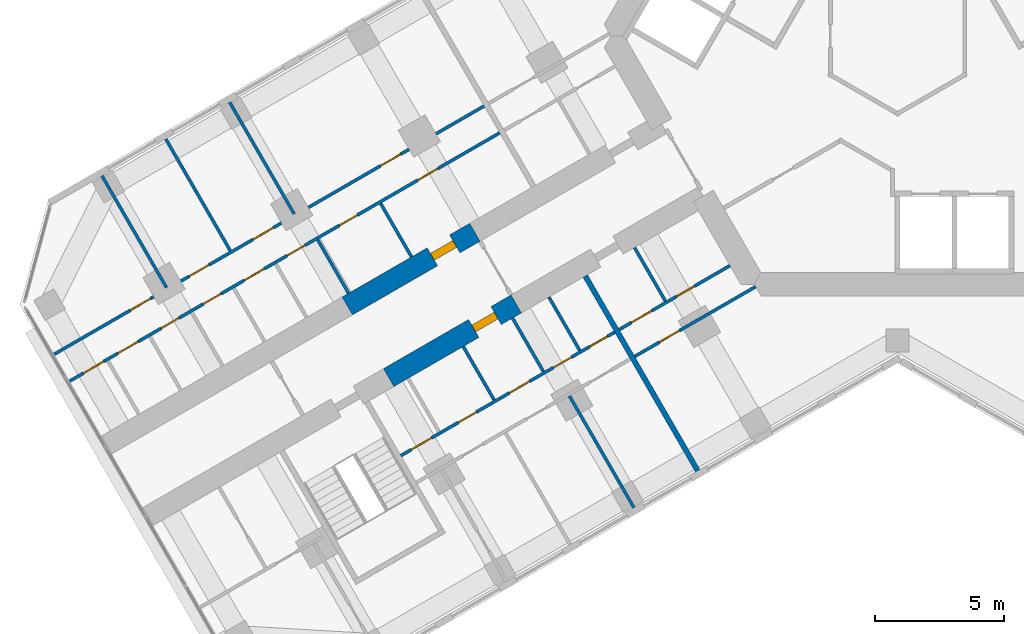
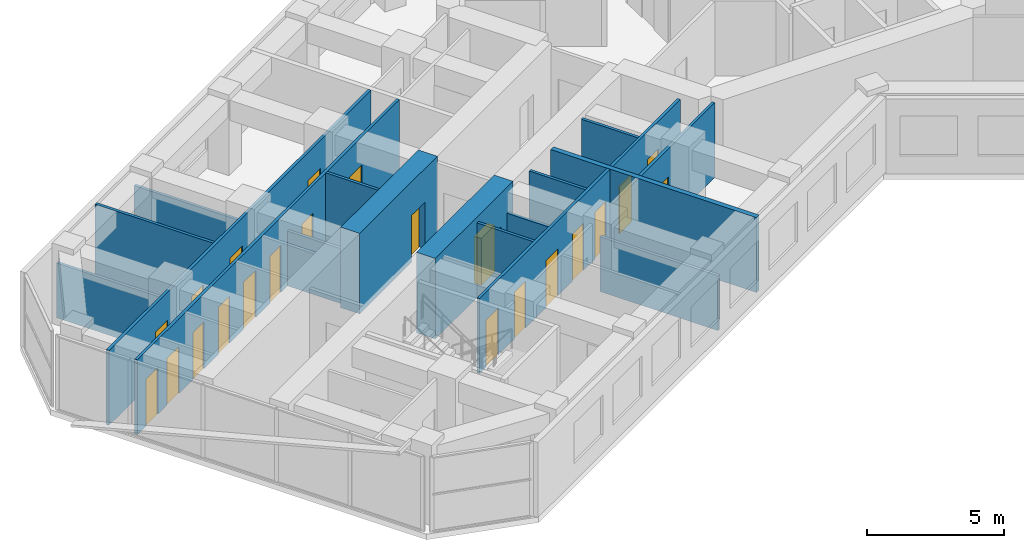
# One storey, part 11 of 19: 22 doors, 18 walls, 22 openings.
"""IFC4 building model written with IfcOpenShell, lengths in metres."""

import ifcopenshell
import ifcopenshell.guid

model = None  # the IFC model being written
_history = None  # IfcOwnerHistory: only IFC2X3 demands one
_inside = {}  # id of a spatial element -> (the spatial element, [elements in it])
_under = {}  # id of a project, library or spatial element -> (it, [spatial elements below it])
_declared = {}  # id of a project -> (the project, [libraries it declares])
_typed = {}  # id of a type object -> (the type object, [elements of that type])
_made_of = {}  # id of a material, layer set ... -> (it, [elements and type objects made of it])


def new_model(schema):
    """Start an empty IFC model of exactly this schema.

    Asked for "IFC4X3", IfcOpenShell would pick the latest addendum, in which some entities
    have other attributes; the version numbers below select the first issue.
    IFC2X3 requires an IfcOwnerHistory on every rooted entity: one is made here for all.
    """
    global model, _history
    if schema == "IFC4X3":
        model = ifcopenshell.file(schema_version=(4, 3, 0, 0))
    else:
        model = ifcopenshell.file(schema=schema)
    _inside.clear()
    _under.clear()
    _declared.clear()
    _typed.clear()
    _made_of.clear()
    _history = None
    if model.schema == "IFC2X3":
        org = make("IfcOrganization", Name="unknown")
        user = make(
            "IfcPersonAndOrganization",
            ThePerson=make("IfcPerson", FamilyName="unknown"),
            TheOrganization=org,
        )
        app = make(
            "IfcApplication",
            ApplicationDeveloper=org,
            Version="unknown",
            ApplicationFullName="unknown",
            ApplicationIdentifier="unknown",
        )
        _history = make(
            "IfcOwnerHistory",
            OwningUser=user,
            OwningApplication=app,
            ChangeAction="ADDED",
            CreationDate=0,
        )
    return model


def make(cls, **values):
    """One entity of the class cls with the attributes given. An attribute that is None is left unset."""
    return model.create_entity(
        cls, **{name: value for name, value in values.items() if value is not None}
    )


def rooted(cls, **values):
    """An entity with a GlobalId (a new one), such as an element, a storey or a relation."""
    return make(cls, GlobalId=ifcopenshell.guid.new(), OwnerHistory=_history, **values)


def si_unit(unit_type, name, prefix=None):
    """IfcSIUnit, for example si_unit("LENGTHUNIT", "METRE", prefix="MILLI")."""
    return make("IfcSIUnit", UnitType=unit_type, Prefix=prefix, Name=name)


def assignment(units):
    """IfcUnitAssignment: the units of a project."""
    return None if units is None else make("IfcUnitAssignment", Units=units)


def point(xyz):
    """IfcCartesianPoint."""
    return None if xyz is None else make("IfcCartesianPoint", Coordinates=xyz)


def direction(xyz):
    """IfcDirection."""
    return None if xyz is None else make("IfcDirection", DirectionRatios=xyz)


def frame(location, z_axis=None, x_axis=None):
    """IfcAxis2Placement3D, a coordinate frame: its origin and axes. An axis left out is left unset."""
    return make(
        "IfcAxis2Placement3D",
        Location=point(location),
        Axis=direction(z_axis),
        RefDirection=direction(x_axis),
    )


def frame_2d(location, x_axis=None):
    """IfcAxis2Placement2D, a coordinate frame in the plane: its origin and x axis."""
    return make(
        "IfcAxis2Placement2D", Location=point(location), RefDirection=direction(x_axis)
    )


def origin():
    """The frame at (0, 0, 0) with its axes left unset."""
    return frame((0.0, 0.0, 0.0))


def place(relative_to, where):
    """IfcLocalPlacement: puts the frame where relative to a parent placement (None: the world)."""
    return make(
        "IfcLocalPlacement", PlacementRelTo=relative_to, RelativePlacement=where
    )


def context(
    kind, dimensions, precision=None, world=None, true_north=None, identifier=None
):
    """IfcGeometricRepresentationContext, for example the 3D "Model" context."""
    return make(
        "IfcGeometricRepresentationContext",
        ContextIdentifier=identifier,
        ContextType=kind,
        CoordinateSpaceDimension=dimensions,
        Precision=precision,
        WorldCoordinateSystem=world,
        TrueNorth=true_north,
    )


def subcontext(parent, identifier, kind, view, scale=None):
    """IfcGeometricRepresentationSubContext, for example "Body" below "Model"."""
    return make(
        "IfcGeometricRepresentationSubContext",
        ContextIdentifier=identifier,
        ContextType=kind,
        ParentContext=parent,
        TargetScale=scale,
        TargetView=view,
    )


def project(units=None, contexts=None):
    """IfcProject with its units and contexts."""
    return rooted(
        "IfcProject",
        Name="project",
        RepresentationContexts=contexts,
        UnitsInContext=assignment(units),
    )


def spatial(cls, under=None, at=None, **own):
    """A site, building, storey or space (cls), placed at a placement, below another one or the project."""
    s = rooted(cls, ObjectPlacement=at, **own)
    if under is not None:
        _under.setdefault(under.id(), (under, []))[1].append(s)
    return s


def profile(cls, at=None, kind="AREA", **sizes):
    """A parametric profile (cls). Its sizes go by their IFC names, for example OverallWidth=200.0."""
    return make(cls, ProfileType=kind, Position=at, **sizes)


def rectangle(**sizes):
    """IfcRectangleProfileDef."""
    return profile("IfcRectangleProfileDef", **sizes)


def extrude(swept, where, along, depth):
    """IfcExtrudedAreaSolid: the profile swept, set in the frame where, extruded along a direction by depth."""
    return make(
        "IfcExtrudedAreaSolid",
        SweptArea=swept,
        Position=where,
        ExtrudedDirection=direction(along),
        Depth=depth,
    )


def shape(context_of_items, identifier, shape_type, items):
    """IfcShapeRepresentation: the items that make up one representation, for example the "Body"."""
    return make(
        "IfcShapeRepresentation",
        ContextOfItems=context_of_items,
        RepresentationIdentifier=identifier,
        RepresentationType=shape_type,
        Items=items,
    )


def material(Name=None, Category=None):
    """IfcMaterial."""
    return make("IfcMaterial", Name=Name, Category=Category)


def layer(
    of_material, thickness, ventilated=None, Name=None, Category=None, Priority=None
):
    """IfcMaterialLayer: one layer of a wall or slab, of a material (None: an air gap)."""
    return make(
        "IfcMaterialLayer",
        Material=of_material,
        LayerThickness=thickness,
        IsVentilated=ventilated,
        Name=Name,
        Category=Category,
        Priority=Priority,
    )


def layer_set(layers, Name=None):
    """IfcMaterialLayerSet."""
    return make("IfcMaterialLayerSet", MaterialLayers=layers, LayerSetName=Name)


def made_of(thing, what):
    """Note that an element or type object is made of a material, layer set ...; save() writes the relation."""
    if what is not None:
        _made_of.setdefault(what.id(), (what, []))[1].append(thing)
    return thing


def type_object(cls, material=None, **own):
    """A type object (cls), such as IfcWallType, which elements share."""
    return made_of(rooted(cls, **own), material)


def element(
    cls,
    number,
    at=None,
    inside=None,
    cuts=None,
    type_object=None,
    material=None,
    context=None,
    identifier="Body",
    shape_type=None,
    held_by="IfcProductDefinitionShape",
    body=None,
    shapes=None,
    **own,
):
    """One element of the class cls, such as IfcWall. Its Tag is "e" and its number.

    at: its placement. inside: the storey or other place that contains it. cuts: it is an
    opening in that element (IfcRelVoidsElement). A single representation is given by context,
    identifier, shape_type and body (its items); several are given by shapes. held_by: the class
    of the entity that holds the representations. save() writes the other relations.
    """
    e = rooted(cls, Tag="e%d" % number, ObjectPlacement=at, **own)
    if body is not None:
        shapes = [shape(context, identifier, shape_type, body)]
    if shapes is not None:
        e.Representation = make(held_by, Representations=shapes)
    if inside is not None:
        _inside.setdefault(inside.id(), (inside, []))[1].append(e)
    if cuts is not None:
        rooted(
            "IfcRelVoidsElement", RelatingBuildingElement=cuts, RelatedOpeningElement=e
        )
    if type_object is not None:
        _typed.setdefault(type_object.id(), (type_object, []))[1].append(e)
    return made_of(e, material)


def fill(opening, filler):
    """IfcRelFillsElement: the door or window that sits in an opening."""
    return rooted(
        "IfcRelFillsElement",
        RelatingOpeningElement=opening,
        RelatedBuildingElement=filler,
    )


def aggregate(whole, parts):
    """IfcRelAggregates: a whole, such as a stair, and the parts it consists of."""
    return rooted("IfcRelAggregates", RelatingObject=whole, RelatedObjects=parts)


def save(model, path):
    """Write the relations noted so far, then the file.

    IfcRelAggregates (storeys below a building ...), IfcRelContainedInSpatialStructure (elements
    in a storey), IfcRelDefinesByType, IfcRelAssociatesMaterial and IfcRelDeclares: one each for
    every whole, place, type object, material and project.
    """
    for whole, parts in _under.values():
        aggregate(whole, parts)
    for where, things in _inside.values():
        rooted(
            "IfcRelContainedInSpatialStructure",
            RelatedElements=things,
            RelatingStructure=where,
        )
    for kind, things in _typed.values():
        rooted("IfcRelDefinesByType", RelatedObjects=things, RelatingType=kind)
    for what, things in _made_of.values():
        rooted("IfcRelAssociatesMaterial", RelatedObjects=things, RelatingMaterial=what)
    for by, libraries in _declared.values():
        rooted("IfcRelDeclares", RelatingContext=by, RelatedDefinitions=libraries)
    model.write(path)


model = new_model("IFC4")

# Units and contexts
model_context = context("Model", 3, precision=1e-05, world=origin(), true_north=direction((0.0, 1.0)))
body_context = subcontext(model_context, "Body", "Model", "MODEL_VIEW")
ifc_project = project(units=[si_unit("LENGTHUNIT", "METRE"), si_unit("AREAUNIT", "SQUARE_METRE"), si_unit("VOLUMEUNIT", "CUBIC_METRE"), si_unit("PLANEANGLEUNIT", "RADIAN"), si_unit("MASSUNIT", "GRAM", prefix="KILO")], contexts=[model_context])

# Site, building, storey
site_placement = place(None, origin())
site = spatial("IfcSite", under=ifc_project, at=site_placement, CompositionType="ELEMENT")
building_placement = place(site_placement, origin())
building = spatial("IfcBuilding", under=site, at=building_placement, Name="Kosmar Iwan School Tower", CompositionType="ELEMENT")
storey_placement = place(building_placement, frame((0.0, 0.0, 168.800048828125)))
storey = spatial("IfcBuildingStorey", under=building, at=storey_placement, Name="L42", CompositionType="ELEMENT", Elevation=168.800048828125)

# Wall, opening, door
ifc_material_1 = material(Name="Concrete C50/60", Category="concrete")
ifc_layer_1 = layer(ifc_material_1, 0.800048828125)
ifc_layer_set_1 = layer_set([ifc_layer_1], Name="Corridor buttress wall 800")
wall_type_1 = type_object("IfcWallType", Name="Corridor buttress wall 800", PredefinedType="SHEAR", material=ifc_layer_set_1)
wall_1_placement = place(storey_placement, frame((-14.7451171875, -10.360595703125, 0.0), z_axis=(0.0, 0.0, 1.0), x_axis=(-0.866015111908, -0.50001782563, 0.0)))
wall_1 = element("IfcWall", 1, at=wall_1_placement, inside=storey, type_object=wall_type_1, Name="Corridor wall BL bay 2", PredefinedType="SHEAR", context=body_context, shape_type="SweptSolid", body=[
    extrude(rectangle(XDim=5.699951171875, YDim=0.800048828125, at=frame_2d((2.85009765625, 0.0))), origin(), (0.0, 0.0, 1.0), 3.599853515625),
])
opening_1_placement = place(wall_1_placement, frame((0.89990234375, 0.0, 0.0)))
opening_1 = element("IfcOpeningElement", 2, at=opening_1_placement, cuts=wall_1, Name="Opening D1", PredefinedType="OPENING", context=body_context, shape_type="SweptSolid", body=[
    extrude(rectangle(XDim=1.0, YDim=2.10009765625, at=frame_2d((0.5, 1.050048828125))), frame((0.0, 0.412109375, 0.0), z_axis=(0.0, -1.0, 0.0), x_axis=(1.0, 0.0, 0.0)), (0.0, 0.0, 1.0), 0.823974609375),
])
ifc_material_2 = material(Name="Timber fire door in steel frame", Category="steel")
door_type_1 = type_object("IfcDoorType", Name="Flat entrance door 1000x2100", OperationType="SINGLE_SWING_LEFT", PredefinedType="DOOR", material=ifc_material_2)
door_1_placement = place(opening_1_placement, origin())
door_1 = element("IfcDoor", 3, at=door_1_placement, inside=storey, type_object=door_type_1, Name="Flat L42-BL2 entrance door", OperationType="SINGLE_SWING_LEFT", OverallHeight=2.10009765625, OverallWidth=1.0, PredefinedType="DOOR", context=body_context, shape_type="SweptSolid", body=[
    extrude(rectangle(XDim=1.0, YDim=2.10009765625, at=frame_2d((0.5, 1.050048828125))), frame((0.0, 0.14990234375, 0.0), z_axis=(0.0, -1.0, 0.0), x_axis=(1.0, 0.0, 0.0)), (0.0, 0.0, 1.0), 0.300048828125),
])
fill(opening_1, door_1)

wall_2_placement = place(storey_placement, frame((-16.34521484375, -7.58935546875, 0.0), z_axis=(0.0, 0.0, 1.0), x_axis=(-0.866015111908, -0.50001782563, 0.0)))
wall_2 = element("IfcWall", 4, at=wall_2_placement, inside=storey, type_object=wall_type_1, Name="Corridor wall BR bay 2", PredefinedType="SHEAR", context=body_context, shape_type="SweptSolid", body=[
    extrude(rectangle(XDim=5.699951171875, YDim=0.800048828125, at=frame_2d((2.85009765625, 0.0))), origin(), (0.0, 0.0, 1.0), 3.599853515625),
])
opening_2_placement = place(wall_2_placement, frame((0.89990234375, 0.0, 0.0)))
opening_2 = element("IfcOpeningElement", 5, at=opening_2_placement, cuts=wall_2, Name="Opening D1", PredefinedType="OPENING", context=body_context, shape_type="SweptSolid", body=[
    extrude(rectangle(XDim=1.0, YDim=2.10009765625, at=frame_2d((0.5, 1.050048828125))), frame((0.0, 0.412109375, 0.0), z_axis=(0.0, -1.0, 0.0), x_axis=(1.0, 0.0, 0.0)), (0.0, 0.0, 1.0), 0.823974609375),
])
door_2_placement = place(opening_2_placement, origin())
door_2 = element("IfcDoor", 6, at=door_2_placement, inside=storey, type_object=door_type_1, Name="Flat L42-BR2 entrance door", OperationType="SINGLE_SWING_LEFT", OverallHeight=2.10009765625, OverallWidth=1.0, PredefinedType="DOOR", context=body_context, shape_type="SweptSolid", body=[
    extrude(rectangle(XDim=1.0, YDim=2.10009765625, at=frame_2d((0.5, 1.050048828125))), frame((0.0, 0.14990234375, 0.0), z_axis=(0.0, -1.0, 0.0), x_axis=(1.0, 0.0, 0.0)), (0.0, 0.0, 1.0), 0.300048828125),
])
fill(opening_2, door_2)

# Wall, openings, doors
ifc_material_3 = material(Name="Gypsum board on steel studs", Category="steel")
ifc_layer_2 = layer(ifc_material_3, 0.1201171875)
ifc_layer_set_2 = layer_set([ifc_layer_2], Name="Dwelling partition 120")
wall_type_2 = type_object("IfcWallType", Name="Dwelling partition 120", PredefinedType="PARTITIONING", material=ifc_layer_set_2)
wall_3_placement = place(storey_placement, frame((-6.478515625, -8.87890625, 0.0), z_axis=(0.0, 0.0, 1.0), x_axis=(-0.866040211805, -0.499974350878, 0.0)))
wall_3 = element("IfcWall", 7, at=wall_3_placement, inside=storey, type_object=wall_type_2, Name="Partition L42-BL1-W1", PredefinedType="PARTITIONING", context=body_context, shape_type="SweptSolid", body=[
    extrude(rectangle(XDim=4.949951171875, YDim=0.1201171875, at=frame_2d((2.47509765625, 0.0))), origin(), (0.0, 0.0, 1.0), 3.349853515625),
])
opening_3_placement = place(wall_3_placement, frame((1.60009765625, 0.0, 0.0)))
opening_3 = element("IfcOpeningElement", 8, at=opening_3_placement, cuts=wall_3, Name="Opening D3", PredefinedType="OPENING", context=body_context, shape_type="SweptSolid", body=[
    extrude(rectangle(XDim=0.800048828125, YDim=2.10009765625, at=frame_2d((0.39990234375, 1.050048828125))), frame((0.0, 0.072021484375, 0.0), z_axis=(0.0, -1.0, 0.0), x_axis=(1.0, 0.0, 0.0)), (0.0, 0.0, 1.0), 0.14404296875),
])
opening_4_placement = place(wall_3_placement, frame((3.5, 0.0, 0.0)))
opening_4 = element("IfcOpeningElement", 9, at=opening_4_placement, cuts=wall_3, Name="Opening D2", PredefinedType="OPENING", context=body_context, shape_type="SweptSolid", body=[
    extrude(rectangle(XDim=0.89990234375, YDim=2.10009765625, at=frame_2d((0.449951171875, 1.050048828125))), frame((0.0, 0.072021484375, 0.0), z_axis=(0.0, -1.0, 0.0), x_axis=(1.0, 0.0, 0.0)), (0.0, 0.0, 1.0), 0.14404296875),
])
ifc_material_4 = material(Name="Timber door in timber frame", Category="wood")
door_type_2 = type_object("IfcDoorType", Name="Internal door 900x2100", OperationType="SINGLE_SWING_LEFT", PredefinedType="DOOR", material=ifc_material_4)
door_3_placement = place(opening_4_placement, origin())
door_3 = element("IfcDoor", 10, at=door_3_placement, inside=storey, type_object=door_type_2, Name="Entrance hall door L42-BL1-S2", OperationType="SINGLE_SWING_RIGHT", OverallHeight=2.10009765625, OverallWidth=0.89990234375, PredefinedType="DOOR", context=body_context, shape_type="SweptSolid", body=[
    extrude(rectangle(XDim=0.89990234375, YDim=2.10009765625, at=frame_2d((0.449951171875, 1.050048828125))), frame((0.0, 0.02490234375, 0.0), z_axis=(0.0, -1.0, 0.0), x_axis=(1.0, 0.0, 0.0)), (0.0, 0.0, 1.0), 0.050048828125),
])
fill(opening_4, door_3)
ifc_material_5 = material(Name="Timber door in timber frame", Category="wood")
door_type_3 = type_object("IfcDoorType", Name="Sanitary room door 800x2100", OperationType="SINGLE_SWING_LEFT", PredefinedType="DOOR", material=ifc_material_5)
door_4_placement = place(opening_3_placement, origin())
door_4 = element("IfcDoor", 11, at=door_4_placement, inside=storey, type_object=door_type_3, Name="Bathroom door L42-BL1-S1", OperationType="SINGLE_SWING_LEFT", OverallHeight=2.10009765625, OverallWidth=0.800048828125, PredefinedType="DOOR", context=body_context, shape_type="SweptSolid", body=[
    extrude(rectangle(XDim=0.800048828125, YDim=2.10009765625, at=frame_2d((0.39990234375, 1.050048828125))), frame((0.0, 0.02490234375, 0.0), z_axis=(0.0, -1.0, 0.0), x_axis=(1.0, 0.0, 0.0)), (0.0, 0.0, 1.0), 0.050048828125),
])
fill(opening_3, door_4)

# Wall, opening, door
wall_4_placement = place(storey_placement, frame((-5.48876953125, -9.693115234375, 0.0), z_axis=(0.0, 0.0, 1.0), x_axis=(-0.866028230842, -0.499995103361, 0.0)))
wall_4 = element("IfcWall", 12, at=wall_4_placement, inside=storey, type_object=wall_type_2, Name="Partition L42-BL1-W2", PredefinedType="PARTITIONING", context=body_context, shape_type="SweptSolid", body=[
    extrude(rectangle(XDim=5.39990234375, YDim=0.1201171875, at=frame_2d((2.699951171875, 0.0))), origin(), (0.0, 0.0, 1.0), 3.349853515625),
])
opening_5_placement = place(wall_4_placement, frame((3.39990234375, 0.0, 0.0)))
opening_5 = element("IfcOpeningElement", 13, at=opening_5_placement, cuts=wall_4, Name="Opening D2", PredefinedType="OPENING", context=body_context, shape_type="SweptSolid", body=[
    extrude(rectangle(XDim=0.89990234375, YDim=2.10009765625, at=frame_2d((0.449951171875, 1.050048828125))), frame((0.0, 0.072021484375, 0.0), z_axis=(0.0, -1.0, 0.0), x_axis=(1.0, 0.0, 0.0)), (0.0, 0.0, 1.0), 0.14404296875),
])
door_5_placement = place(opening_5_placement, origin())
door_5 = element("IfcDoor", 14, at=door_5_placement, inside=storey, type_object=door_type_2, Name="Studio living room and kitchen door L42-BL1-F1", OperationType="SINGLE_SWING_RIGHT", OverallHeight=2.10009765625, OverallWidth=0.89990234375, PredefinedType="DOOR", context=body_context, shape_type="SweptSolid", body=[
    extrude(rectangle(XDim=0.89990234375, YDim=2.10009765625, at=frame_2d((0.449951171875, 1.050048828125))), frame((0.0, 0.02490234375, 0.0), z_axis=(0.0, -1.0, 0.0), x_axis=(1.0, 0.0, 0.0)), (0.0, 0.0, 1.0), 0.050048828125),
])
fill(opening_5, door_5)

# Wall
wall_5_placement = place(storey_placement, frame((-10.171630859375, -8.18212890625, 0.0), z_axis=(0.0, 0.0, 1.0), x_axis=(0.499940577336, -0.866059708757, 0.0)))
element("IfcWall", 15, at=wall_5_placement, inside=storey, type_object=wall_type_2, Name="Partition L42-BL1-Y1", PredefinedType="PARTITIONING", context=body_context, shape_type="SweptSolid", body=[
    extrude(rectangle(XDim=2.389892578125, YDim=0.1201171875, at=frame_2d((1.19482421875, 0.0))), origin(), (0.0, 0.0, 1.0), 3.349853515625),
])

# Wall, openings, doors
wall_6_placement = place(storey_placement, frame((-10.9384765625, -11.453857421875, 0.0), z_axis=(0.0, 0.0, 1.0), x_axis=(-0.866035311659, -0.499982838664, 0.0)))
wall_6 = element("IfcWall", 16, at=wall_6_placement, inside=storey, type_object=wall_type_2, Name="Partition L42-BL2-W1", PredefinedType="PARTITIONING", context=body_context, shape_type="SweptSolid", body=[
    extrude(rectangle(XDim=9.550048828125, YDim=0.1201171875, at=frame_2d((4.77490234375, 0.0))), origin(), (0.0, 0.0, 1.0), 3.349853515625),
])
opening_6_placement = place(wall_6_placement, frame((0.3125, 0.0, 0.0)))
opening_6 = element("IfcOpeningElement", 17, at=opening_6_placement, cuts=wall_6, Name="Opening D3", PredefinedType="OPENING", context=body_context, shape_type="SweptSolid", body=[
    extrude(rectangle(XDim=0.800048828125, YDim=2.10009765625, at=frame_2d((0.39990234375, 1.050048828125))), frame((0.0, 0.072021484375, 0.0), z_axis=(0.0, -1.0, 0.0), x_axis=(1.0, 0.0, 0.0)), (0.0, 0.0, 1.0), 0.14404296875),
])
opening_7_placement = place(wall_6_placement, frame((1.9375, 0.0, 0.0)))
opening_7 = element("IfcOpeningElement", 18, at=opening_7_placement, cuts=wall_6, Name="Opening D3", PredefinedType="OPENING", context=body_context, shape_type="SweptSolid", body=[
    extrude(rectangle(XDim=0.800048828125, YDim=2.10009765625, at=frame_2d((0.39990234375, 1.050048828125))), frame((0.0, 0.072021484375, 0.0), z_axis=(0.0, -1.0, 0.0), x_axis=(1.0, 0.0, 0.0)), (0.0, 0.0, 1.0), 0.14404296875),
])
opening_8_placement = place(wall_6_placement, frame((3.800048828125, 0.0, 0.0)))
opening_8 = element("IfcOpeningElement", 19, at=opening_8_placement, cuts=wall_6, Name="Opening D2", PredefinedType="OPENING", context=body_context, shape_type="SweptSolid", body=[
    extrude(rectangle(XDim=0.89990234375, YDim=2.10009765625, at=frame_2d((0.449951171875, 1.050048828125))), frame((0.0, 0.072021484375, 0.0), z_axis=(0.0, -1.0, 0.0), x_axis=(1.0, 0.0, 0.0)), (0.0, 0.0, 1.0), 0.14404296875),
])
opening_9_placement = place(wall_6_placement, frame((6.179931640625, 0.0, 0.0)))
opening_9 = element("IfcOpeningElement", 20, at=opening_9_placement, cuts=wall_6, Name="Opening D3", PredefinedType="OPENING", context=body_context, shape_type="SweptSolid", body=[
    extrude(rectangle(XDim=0.800048828125, YDim=2.10009765625, at=frame_2d((0.39990234375, 1.050048828125))), frame((0.0, 0.072021484375, 0.0), z_axis=(0.0, -1.0, 0.0), x_axis=(1.0, 0.0, 0.0)), (0.0, 0.0, 1.0), 0.14404296875),
])
opening_10_placement = place(wall_6_placement, frame((8.179931640625, 0.0, 0.0)))
opening_10 = element("IfcOpeningElement", 21, at=opening_10_placement, cuts=wall_6, Name="Opening D2", PredefinedType="OPENING", context=body_context, shape_type="SweptSolid", body=[
    extrude(rectangle(XDim=0.89990234375, YDim=2.10009765625, at=frame_2d((0.449951171875, 1.050048828125))), frame((0.0, 0.072021484375, 0.0), z_axis=(0.0, -1.0, 0.0), x_axis=(1.0, 0.0, 0.0)), (0.0, 0.0, 1.0), 0.14404296875),
])
door_6_placement = place(opening_8_placement, origin())
door_6 = element("IfcDoor", 22, at=door_6_placement, inside=storey, type_object=door_type_2, Name="Entrance hall door L42-BL2-S3", OperationType="SINGLE_SWING_LEFT", OverallHeight=2.10009765625, OverallWidth=0.89990234375, PredefinedType="DOOR", context=body_context, shape_type="SweptSolid", body=[
    extrude(rectangle(XDim=0.89990234375, YDim=2.10009765625, at=frame_2d((0.449951171875, 1.050048828125))), frame((0.0, 0.02490234375, 0.0), z_axis=(0.0, -1.0, 0.0), x_axis=(1.0, 0.0, 0.0)), (0.0, 0.0, 1.0), 0.050048828125),
])
fill(opening_8, door_6)
door_7_placement = place(opening_10_placement, frame((0.89990234375, 0.0, 0.0), z_axis=(0.0, 0.0, 1.0), x_axis=(-1.0, 0.0, 0.0)))
door_7 = element("IfcDoor", 23, at=door_7_placement, inside=storey, type_object=door_type_2, Name="Pantry door L42-BL2-S5", OperationType="SINGLE_SWING_LEFT", OverallHeight=2.10009765625, OverallWidth=0.89990234375, PredefinedType="DOOR", context=body_context, shape_type="SweptSolid", body=[
    extrude(rectangle(XDim=0.89990234375, YDim=2.10009765625, at=frame_2d((0.449951171875, 1.050048828125))), frame((0.0, 0.02490234375, 0.0), z_axis=(0.0, -1.0, 0.0), x_axis=(1.0, 0.0, 0.0)), (0.0, 0.0, 1.0), 0.050048828125),
])
fill(opening_10, door_7)
door_8_placement = place(opening_6_placement, origin())
door_8 = element("IfcDoor", 24, at=door_8_placement, inside=storey, type_object=door_type_3, Name="WC door L42-BL2-S1", OperationType="SINGLE_SWING_LEFT", OverallHeight=2.10009765625, OverallWidth=0.800048828125, PredefinedType="DOOR", context=body_context, shape_type="SweptSolid", body=[
    extrude(rectangle(XDim=0.800048828125, YDim=2.10009765625, at=frame_2d((0.39990234375, 1.050048828125))), frame((0.0, 0.02490234375, 0.0), z_axis=(0.0, -1.0, 0.0), x_axis=(1.0, 0.0, 0.0)), (0.0, 0.0, 1.0), 0.050048828125),
])
fill(opening_6, door_8)
door_9_placement = place(opening_7_placement, origin())
door_9 = element("IfcDoor", 25, at=door_9_placement, inside=storey, type_object=door_type_3, Name="Shower room door L42-BL2-S2", OperationType="SINGLE_SWING_LEFT", OverallHeight=2.10009765625, OverallWidth=0.800048828125, PredefinedType="DOOR", context=body_context, shape_type="SweptSolid", body=[
    extrude(rectangle(XDim=0.800048828125, YDim=2.10009765625, at=frame_2d((0.39990234375, 1.050048828125))), frame((0.0, 0.02490234375, 0.0), z_axis=(0.0, -1.0, 0.0), x_axis=(1.0, 0.0, 0.0)), (0.0, 0.0, 1.0), 0.050048828125),
])
fill(opening_7, door_9)
door_10_placement = place(opening_9_placement, origin())
door_10 = element("IfcDoor", 26, at=door_10_placement, inside=storey, type_object=door_type_3, Name="Bathroom door L42-BL2-S4", OperationType="SINGLE_SWING_RIGHT", OverallHeight=2.10009765625, OverallWidth=0.800048828125, PredefinedType="DOOR", context=body_context, shape_type="SweptSolid", body=[
    extrude(rectangle(XDim=0.800048828125, YDim=2.10009765625, at=frame_2d((0.39990234375, 1.050048828125))), frame((0.0, 0.02490234375, 0.0), z_axis=(0.0, -1.0, 0.0), x_axis=(1.0, 0.0, 0.0)), (0.0, 0.0, 1.0), 0.050048828125),
])
fill(opening_9, door_10)

# Walls
wall_7_placement = place(storey_placement, frame((-12.690185546875, -13.919921875, 0.0), z_axis=(0.0, 0.0, 1.0), x_axis=(0.500011847778, -0.866018563358, 0.0)))
element("IfcWall", 27, at=wall_7_placement, inside=storey, type_object=wall_type_2, Name="Partition L42-BL2-X1", PredefinedType="PARTITIONING", context=body_context, shape_type="SweptSolid", body=[
    extrude(rectangle(XDim=4.990234375, YDim=0.1201171875, at=frame_2d((2.4951171875, 0.0))), origin(), (0.0, 0.0, 1.0), 2.449951171875),
])
wall_8_placement = place(storey_placement, frame((-13.484375, -10.094482421875, 0.0), z_axis=(0.0, 0.0, 1.0), x_axis=(0.500017192868, -0.86601547725, 0.0)))
element("IfcWall", 28, at=wall_8_placement, inside=storey, type_object=wall_type_2, Name="Partition L42-BL2-Y1", PredefinedType="PARTITIONING", context=body_context, shape_type="SweptSolid", body=[
    extrude(rectangle(XDim=2.39013671875, YDim=0.1201171875, at=frame_2d((1.195068359375, 0.0))), origin(), (0.0, 0.0, 1.0), 3.349853515625),
])
wall_9_placement = place(storey_placement, frame((-14.8916015625, -10.906982421875, 0.0), z_axis=(0.0, 0.0, 1.0), x_axis=(0.500017192868, -0.86601547725, 0.0)))
element("IfcWall", 29, at=wall_9_placement, inside=storey, type_object=wall_type_2, Name="Partition L42-BL2-Y2", PredefinedType="PARTITIONING", context=body_context, shape_type="SweptSolid", body=[
    extrude(rectangle(XDim=2.39013671875, YDim=0.1201171875, at=frame_2d((1.195068359375, 0.0))), origin(), (0.0, 0.0, 1.0), 2.449951171875),
])
wall_10_placement = place(storey_placement, frame((-16.796875, -12.007080078125, 0.0), z_axis=(0.0, 0.0, 1.0), x_axis=(0.500017192868, -0.86601547725, 0.0)))
element("IfcWall", 30, at=wall_10_placement, inside=storey, type_object=wall_type_2, Name="Partition L42-BL2-Y3", PredefinedType="PARTITIONING", context=body_context, shape_type="SweptSolid", body=[
    extrude(rectangle(XDim=2.39013671875, YDim=0.1201171875, at=frame_2d((1.195068359375, 0.0))), origin(), (0.0, 0.0, 1.0), 3.349853515625),
])

# Wall, openings, doors
wall_11_placement = place(storey_placement, frame((-15.388671875, -3.74609375, 0.0), z_axis=(0.0, 0.0, 1.0), x_axis=(-0.866021011428, -0.500007607708, 0.0)))
wall_11 = element("IfcWall", 31, at=wall_11_placement, inside=storey, type_object=wall_type_2, Name="Partition L42-BR2-W1", PredefinedType="PARTITIONING", context=body_context, shape_type="SweptSolid", body=[
    extrude(rectangle(XDim=19.195068359375, YDim=0.1201171875, at=frame_2d((9.59765625, 0.0))), origin(), (0.0, 0.0, 1.0), 3.349853515625),
])
opening_11_placement = place(wall_11_placement, frame((2.75, 0.0, 0.0)))
opening_11 = element("IfcOpeningElement", 32, at=opening_11_placement, cuts=wall_11, Name="Opening D2", PredefinedType="OPENING", context=body_context, shape_type="SweptSolid", body=[
    extrude(rectangle(XDim=0.89990234375, YDim=2.10009765625, at=frame_2d((0.449951171875, 1.050048828125))), frame((0.0, 0.072021484375, 0.0), z_axis=(0.0, -1.0, 0.0), x_axis=(1.0, 0.0, 0.0)), (0.0, 0.0, 1.0), 0.14404296875),
])
opening_12_placement = place(wall_11_placement, frame((6.35498046875, 0.0, 0.0)))
opening_12 = element("IfcOpeningElement", 33, at=opening_12_placement, cuts=wall_11, Name="Opening D3", PredefinedType="OPENING", context=body_context, shape_type="SweptSolid", body=[
    extrude(rectangle(XDim=0.800048828125, YDim=2.10009765625, at=frame_2d((0.39990234375, 1.050048828125))), frame((0.0, 0.072021484375, 0.0), z_axis=(0.0, -1.0, 0.0), x_axis=(1.0, 0.0, 0.0)), (0.0, 0.0, 1.0), 0.14404296875),
])
opening_13_placement = place(wall_11_placement, frame((8.69677734375, 0.0, 0.0)))
opening_13 = element("IfcOpeningElement", 34, at=opening_13_placement, cuts=wall_11, Name="Opening D3", PredefinedType="OPENING", context=body_context, shape_type="SweptSolid", body=[
    extrude(rectangle(XDim=0.800048828125, YDim=2.10009765625, at=frame_2d((0.39990234375, 1.050048828125))), frame((0.0, 0.072021484375, 0.0), z_axis=(0.0, -1.0, 0.0), x_axis=(1.0, 0.0, 0.0)), (0.0, 0.0, 1.0), 0.14404296875),
])
opening_14_placement = place(wall_11_placement, frame((10.52001953125, 0.0, 0.0)))
opening_14 = element("IfcOpeningElement", 35, at=opening_14_placement, cuts=wall_11, Name="Opening D2", PredefinedType="OPENING", context=body_context, shape_type="SweptSolid", body=[
    extrude(rectangle(XDim=0.89990234375, YDim=2.10009765625, at=frame_2d((0.449951171875, 1.050048828125))), frame((0.0, 0.072021484375, 0.0), z_axis=(0.0, -1.0, 0.0), x_axis=(1.0, 0.0, 0.0)), (0.0, 0.0, 1.0), 0.14404296875),
])
opening_15_placement = place(wall_11_placement, frame((12.443359375, 0.0, 0.0)))
opening_15 = element("IfcOpeningElement", 36, at=opening_15_placement, cuts=wall_11, Name="Opening D3", PredefinedType="OPENING", context=body_context, shape_type="SweptSolid", body=[
    extrude(rectangle(XDim=0.800048828125, YDim=2.10009765625, at=frame_2d((0.39990234375, 1.050048828125))), frame((0.0, 0.072021484375, 0.0), z_axis=(0.0, -1.0, 0.0), x_axis=(1.0, 0.0, 0.0)), (0.0, 0.0, 1.0), 0.14404296875),
])
opening_16_placement = place(wall_11_placement, frame((14.316650390625, 0.0, 0.0)))
opening_16 = element("IfcOpeningElement", 37, at=opening_16_placement, cuts=wall_11, Name="Opening D3", PredefinedType="OPENING", context=body_context, shape_type="SweptSolid", body=[
    extrude(rectangle(XDim=0.800048828125, YDim=2.10009765625, at=frame_2d((0.39990234375, 1.050048828125))), frame((0.0, 0.072021484375, 0.0), z_axis=(0.0, -1.0, 0.0), x_axis=(1.0, 0.0, 0.0)), (0.0, 0.0, 1.0), 0.14404296875),
])
opening_17_placement = place(wall_11_placement, frame((16.139892578125, 0.0, 0.0)))
opening_17 = element("IfcOpeningElement", 38, at=opening_17_placement, cuts=wall_11, Name="Opening D2", PredefinedType="OPENING", context=body_context, shape_type="SweptSolid", body=[
    extrude(rectangle(XDim=0.89990234375, YDim=2.10009765625, at=frame_2d((0.449951171875, 1.050048828125))), frame((0.0, 0.072021484375, 0.0), z_axis=(0.0, -1.0, 0.0), x_axis=(1.0, 0.0, 0.0)), (0.0, 0.0, 1.0), 0.14404296875),
])
opening_18_placement = place(wall_11_placement, frame((17.686767578125, 0.0, 0.0)))
opening_18 = element("IfcOpeningElement", 39, at=opening_18_placement, cuts=wall_11, Name="Opening D2", PredefinedType="OPENING", context=body_context, shape_type="SweptSolid", body=[
    extrude(rectangle(XDim=0.89990234375, YDim=2.10009765625, at=frame_2d((0.449951171875, 1.050048828125))), frame((0.0, 0.072021484375, 0.0), z_axis=(0.0, -1.0, 0.0), x_axis=(1.0, 0.0, 0.0)), (0.0, 0.0, 1.0), 0.14404296875),
])
door_11_placement = place(opening_11_placement, origin())
door_11 = element("IfcDoor", 40, at=door_11_placement, inside=storey, type_object=door_type_2, Name="Entrance hall door L42-BR2-S1", OperationType="SINGLE_SWING_RIGHT", OverallHeight=2.10009765625, OverallWidth=0.89990234375, PredefinedType="DOOR", context=body_context, shape_type="SweptSolid", body=[
    extrude(rectangle(XDim=0.89990234375, YDim=2.10009765625, at=frame_2d((0.449951171875, 1.050048828125))), frame((0.0, 0.02490234375, 0.0), z_axis=(0.0, -1.0, 0.0), x_axis=(1.0, 0.0, 0.0)), (0.0, 0.0, 1.0), 0.050048828125),
])
fill(opening_11, door_11)
door_12_placement = place(opening_14_placement, origin())
door_12 = element("IfcDoor", 41, at=door_12_placement, inside=storey, type_object=door_type_2, Name="Pantry door L42-BR2-S4", OperationType="SINGLE_SWING_RIGHT", OverallHeight=2.10009765625, OverallWidth=0.89990234375, PredefinedType="DOOR", context=body_context, shape_type="SweptSolid", body=[
    extrude(rectangle(XDim=0.89990234375, YDim=2.10009765625, at=frame_2d((0.449951171875, 1.050048828125))), frame((0.0, 0.02490234375, 0.0), z_axis=(0.0, -1.0, 0.0), x_axis=(1.0, 0.0, 0.0)), (0.0, 0.0, 1.0), 0.050048828125),
])
fill(opening_14, door_12)
door_13_placement = place(opening_17_placement, origin())
door_13 = element("IfcDoor", 42, at=door_13_placement, inside=storey, type_object=door_type_2, Name="Utility room door L42-BR2-S7", OperationType="SINGLE_SWING_LEFT", OverallHeight=2.10009765625, OverallWidth=0.89990234375, PredefinedType="DOOR", context=body_context, shape_type="SweptSolid", body=[
    extrude(rectangle(XDim=0.89990234375, YDim=2.10009765625, at=frame_2d((0.449951171875, 1.050048828125))), frame((0.0, 0.02490234375, 0.0), z_axis=(0.0, -1.0, 0.0), x_axis=(1.0, 0.0, 0.0)), (0.0, 0.0, 1.0), 0.050048828125),
])
fill(opening_17, door_13)
door_14_placement = place(opening_18_placement, origin())
door_14 = element("IfcDoor", 43, at=door_14_placement, inside=storey, type_object=door_type_2, Name="Dressing room door L42-BR2-S8", OperationType="SINGLE_SWING_LEFT", OverallHeight=2.10009765625, OverallWidth=0.89990234375, PredefinedType="DOOR", context=body_context, shape_type="SweptSolid", body=[
    extrude(rectangle(XDim=0.89990234375, YDim=2.10009765625, at=frame_2d((0.449951171875, 1.050048828125))), frame((0.0, 0.02490234375, 0.0), z_axis=(0.0, -1.0, 0.0), x_axis=(1.0, 0.0, 0.0)), (0.0, 0.0, 1.0), 0.050048828125),
])
fill(opening_18, door_14)
door_15_placement = place(opening_12_placement, origin())
door_15 = element("IfcDoor", 44, at=door_15_placement, inside=storey, type_object=door_type_3, Name="Bathroom door L42-BR2-S2", OperationType="SINGLE_SWING_RIGHT", OverallHeight=2.10009765625, OverallWidth=0.800048828125, PredefinedType="DOOR", context=body_context, shape_type="SweptSolid", body=[
    extrude(rectangle(XDim=0.800048828125, YDim=2.10009765625, at=frame_2d((0.39990234375, 1.050048828125))), frame((0.0, 0.02490234375, 0.0), z_axis=(0.0, -1.0, 0.0), x_axis=(1.0, 0.0, 0.0)), (0.0, 0.0, 1.0), 0.050048828125),
])
fill(opening_12, door_15)
door_16_placement = place(opening_13_placement, origin())
door_16 = element("IfcDoor", 45, at=door_16_placement, inside=storey, type_object=door_type_3, Name="Shower room door L42-BR2-S3", OperationType="SINGLE_SWING_LEFT", OverallHeight=2.10009765625, OverallWidth=0.800048828125, PredefinedType="DOOR", context=body_context, shape_type="SweptSolid", body=[
    extrude(rectangle(XDim=0.800048828125, YDim=2.10009765625, at=frame_2d((0.39990234375, 1.050048828125))), frame((0.0, 0.02490234375, 0.0), z_axis=(0.0, -1.0, 0.0), x_axis=(1.0, 0.0, 0.0)), (0.0, 0.0, 1.0), 0.050048828125),
])
fill(opening_13, door_16)
door_17_placement = place(opening_15_placement, origin())
door_17 = element("IfcDoor", 46, at=door_17_placement, inside=storey, type_object=door_type_3, Name="WC door L42-BR2-S5", OperationType="SINGLE_SWING_LEFT", OverallHeight=2.10009765625, OverallWidth=0.800048828125, PredefinedType="DOOR", context=body_context, shape_type="SweptSolid", body=[
    extrude(rectangle(XDim=0.800048828125, YDim=2.10009765625, at=frame_2d((0.39990234375, 1.050048828125))), frame((0.0, 0.02490234375, 0.0), z_axis=(0.0, -1.0, 0.0), x_axis=(1.0, 0.0, 0.0)), (0.0, 0.0, 1.0), 0.050048828125),
])
fill(opening_15, door_17)
door_18_placement = place(opening_16_placement, origin())
door_18 = element("IfcDoor", 47, at=door_18_placement, inside=storey, type_object=door_type_3, Name="Store door L42-BR2-S6", OperationType="SINGLE_SWING_RIGHT", OverallHeight=2.10009765625, OverallWidth=0.800048828125, PredefinedType="DOOR", context=body_context, shape_type="SweptSolid", body=[
    extrude(rectangle(XDim=0.800048828125, YDim=2.10009765625, at=frame_2d((0.39990234375, 1.050048828125))), frame((0.0, 0.02490234375, 0.0), z_axis=(0.0, -1.0, 0.0), x_axis=(1.0, 0.0, 0.0)), (0.0, 0.0, 1.0), 0.050048828125),
])
fill(opening_16, door_18)

wall_12_placement = place(storey_placement, frame((-15.988525390625, -2.70703125, 0.0), z_axis=(0.0, 0.0, 1.0), x_axis=(-0.866029698618, -0.499992561057, 0.0)))
wall_12 = element("IfcWall", 48, at=wall_12_placement, inside=storey, type_object=wall_type_2, Name="Partition L42-BR2-W2", PredefinedType="PARTITIONING", context=body_context, shape_type="SweptSolid", body=[
    extrude(rectangle(XDim=19.195068359375, YDim=0.1201171875, at=frame_2d((9.59765625, 0.0))), origin(), (0.0, 0.0, 1.0), 3.349853515625),
])
opening_19_placement = place(wall_12_placement, frame((3.72509765625, 0.0, 0.0)))
opening_19 = element("IfcOpeningElement", 49, at=opening_19_placement, cuts=wall_12, Name="Opening D2", PredefinedType="OPENING", context=body_context, shape_type="SweptSolid", body=[
    extrude(rectangle(XDim=0.89990234375, YDim=2.10009765625, at=frame_2d((0.449951171875, 1.050048828125))), frame((0.0, 0.072021484375, 0.0), z_axis=(0.0, -1.0, 0.0), x_axis=(1.0, 0.0, 0.0)), (0.0, 0.0, 1.0), 0.14404296875),
])
opening_20_placement = place(wall_12_placement, frame((9.425048828125, 0.0, 0.0)))
opening_20 = element("IfcOpeningElement", 50, at=opening_20_placement, cuts=wall_12, Name="Opening D2", PredefinedType="OPENING", context=body_context, shape_type="SweptSolid", body=[
    extrude(rectangle(XDim=0.89990234375, YDim=2.10009765625, at=frame_2d((0.449951171875, 1.050048828125))), frame((0.0, 0.072021484375, 0.0), z_axis=(0.0, -1.0, 0.0), x_axis=(1.0, 0.0, 0.0)), (0.0, 0.0, 1.0), 0.14404296875),
])
opening_21_placement = place(wall_12_placement, frame((12.27490234375, 0.0, 0.0)))
opening_21 = element("IfcOpeningElement", 51, at=opening_21_placement, cuts=wall_12, Name="Opening D2", PredefinedType="OPENING", context=body_context, shape_type="SweptSolid", body=[
    extrude(rectangle(XDim=0.89990234375, YDim=2.10009765625, at=frame_2d((0.449951171875, 1.050048828125))), frame((0.0, 0.072021484375, 0.0), z_axis=(0.0, -1.0, 0.0), x_axis=(1.0, 0.0, 0.0)), (0.0, 0.0, 1.0), 0.14404296875),
])
opening_22_placement = place(wall_12_placement, frame((14.89990234375, 0.0, 0.0)))
opening_22 = element("IfcOpeningElement", 52, at=opening_22_placement, cuts=wall_12, Name="Opening D2", PredefinedType="OPENING", context=body_context, shape_type="SweptSolid", body=[
    extrude(rectangle(XDim=0.89990234375, YDim=2.10009765625, at=frame_2d((0.449951171875, 1.050048828125))), frame((0.0, 0.072021484375, 0.0), z_axis=(0.0, -1.0, 0.0), x_axis=(1.0, 0.0, 0.0)), (0.0, 0.0, 1.0), 0.14404296875),
])
door_19_placement = place(opening_19_placement, origin())
door_19 = element("IfcDoor", 53, at=door_19_placement, inside=storey, type_object=door_type_2, Name="Living room door L42-BR2-F1", OperationType="SINGLE_SWING_LEFT", OverallHeight=2.10009765625, OverallWidth=0.89990234375, PredefinedType="DOOR", context=body_context, shape_type="SweptSolid", body=[
    extrude(rectangle(XDim=0.89990234375, YDim=2.10009765625, at=frame_2d((0.449951171875, 1.050048828125))), frame((0.0, 0.02490234375, 0.0), z_axis=(0.0, -1.0, 0.0), x_axis=(1.0, 0.0, 0.0)), (0.0, 0.0, 1.0), 0.050048828125),
])
fill(opening_19, door_19)
door_20_placement = place(opening_20_placement, origin())
door_20 = element("IfcDoor", 54, at=door_20_placement, inside=storey, type_object=door_type_2, Name="Kitchen and dining room door L42-BR2-F2", OperationType="SINGLE_SWING_RIGHT", OverallHeight=2.10009765625, OverallWidth=0.89990234375, PredefinedType="DOOR", context=body_context, shape_type="SweptSolid", body=[
    extrude(rectangle(XDim=0.89990234375, YDim=2.10009765625, at=frame_2d((0.449951171875, 1.050048828125))), frame((0.0, 0.02490234375, 0.0), z_axis=(0.0, -1.0, 0.0), x_axis=(1.0, 0.0, 0.0)), (0.0, 0.0, 1.0), 0.050048828125),
])
fill(opening_20, door_20)
door_21_placement = place(opening_21_placement, origin())
door_21 = element("IfcDoor", 55, at=door_21_placement, inside=storey, type_object=door_type_2, Name="Bedroom 1 door L42-BR2-F3", OperationType="SINGLE_SWING_RIGHT", OverallHeight=2.10009765625, OverallWidth=0.89990234375, PredefinedType="DOOR", context=body_context, shape_type="SweptSolid", body=[
    extrude(rectangle(XDim=0.89990234375, YDim=2.10009765625, at=frame_2d((0.449951171875, 1.050048828125))), frame((0.0, 0.02490234375, 0.0), z_axis=(0.0, -1.0, 0.0), x_axis=(1.0, 0.0, 0.0)), (0.0, 0.0, 1.0), 0.050048828125),
])
fill(opening_21, door_21)
door_22_placement = place(opening_22_placement, origin())
door_22 = element("IfcDoor", 56, at=door_22_placement, inside=storey, type_object=door_type_2, Name="Bedroom 2 door L42-BR2-F4", OperationType="SINGLE_SWING_RIGHT", OverallHeight=2.10009765625, OverallWidth=0.89990234375, PredefinedType="DOOR", context=body_context, shape_type="SweptSolid", body=[
    extrude(rectangle(XDim=0.89990234375, YDim=2.10009765625, at=frame_2d((0.449951171875, 1.050048828125))), frame((0.0, 0.02490234375, 0.0), z_axis=(0.0, -1.0, 0.0), x_axis=(1.0, 0.0, 0.0)), (0.0, 0.0, 1.0), 0.050048828125),
])
fill(opening_22, door_22)

# Walls
wall_13_placement = place(storey_placement, frame((-23.33642578125, -6.8798828125, 0.0), z_axis=(0.0, 0.0, 1.0), x_axis=(-0.500033033937, 0.866006330792, 0.0)))
element("IfcWall", 57, at=wall_13_placement, inside=storey, type_object=wall_type_2, Name="Partition L42-BR2-X1", PredefinedType="PARTITIONING", context=body_context, shape_type="SweptSolid", body=[
    extrude(rectangle(XDim=4.989990234375, YDim=0.1201171875, at=frame_2d((2.4951171875, 0.0))), origin(), (0.0, 0.0, 1.0), 2.449951171875),
])
wall_14_placement = place(storey_placement, frame((-25.8046875, -8.304931640625, 0.0), z_axis=(0.0, 0.0, 1.0), x_axis=(-0.499975153383, 0.86603974851, 0.0)))
element("IfcWall", 58, at=wall_14_placement, inside=storey, type_object=wall_type_2, Name="Partition L42-BR2-X2", PredefinedType="PARTITIONING", context=body_context, shape_type="SweptSolid", body=[
    extrude(rectangle(XDim=4.989990234375, YDim=0.1201171875, at=frame_2d((2.4951171875, 0.0))), origin(), (0.0, 0.0, 1.0), 3.349853515625),
])
wall_15_placement = place(storey_placement, frame((-28.27294921875, -9.72998046875, 0.0), z_axis=(0.0, 0.0, 1.0), x_axis=(-0.499975153383, 0.86603974851, 0.0)))
element("IfcWall", 59, at=wall_15_placement, inside=storey, type_object=wall_type_2, Name="Partition L42-BR2-X3", PredefinedType="PARTITIONING", context=body_context, shape_type="SweptSolid", body=[
    extrude(rectangle(XDim=4.989990234375, YDim=0.1201171875, at=frame_2d((2.4951171875, 0.0))), origin(), (0.0, 0.0, 1.0), 2.449951171875),
])
wall_16_placement = place(storey_placement, frame((-18.796875, -8.54296875, 0.0), z_axis=(0.0, 0.0, 1.0), x_axis=(-0.500017192868, 0.86601547725, 0.0)))
element("IfcWall", 60, at=wall_16_placement, inside=storey, type_object=wall_type_2, Name="Partition L42-BR2-Y1", PredefinedType="PARTITIONING", context=body_context, shape_type="SweptSolid", body=[
    extrude(rectangle(XDim=2.39013671875, YDim=0.1201171875, at=frame_2d((1.195068359375, 0.0))), origin(), (0.0, 0.0, 1.0), 3.349853515625),
])
wall_17_placement = place(storey_placement, frame((-21.23046875, -9.947998046875, 0.0), z_axis=(0.0, 0.0, 1.0), x_axis=(-0.499940577336, 0.866059708757, 0.0)))
element("IfcWall", 61, at=wall_17_placement, inside=storey, type_object=wall_type_2, Name="Partition L42-BR2-Y2", PredefinedType="PARTITIONING", context=body_context, shape_type="SweptSolid", body=[
    extrude(rectangle(XDim=2.389892578125, YDim=0.1201171875, at=frame_2d((1.19482421875, 0.0))), origin(), (0.0, 0.0, 1.0), 2.449951171875),
])
ifc_material_6 = material(Name="Concrete block masonry", Category="masonry")
ifc_layer_3 = layer(ifc_material_6, 0.199951171875)
ifc_layer_set_3 = layer_set([ifc_layer_3], Name="Party wall 200")
wall_type_3 = type_object("IfcWallType", Name="Party wall 200", PredefinedType="PARTITIONING", material=ifc_layer_set_3)
wall_18_placement = place(storey_placement, frame((-12.076904296875, -9.281982421875, 0.0), z_axis=(0.0, 0.0, 1.0), x_axis=(0.499987231761, -0.866032775405, 0.0)))
element("IfcWall", 62, at=wall_18_placement, inside=storey, type_object=wall_type_3, Name="Partition L42-BL2-PW", PredefinedType="PARTITIONING", context=body_context, shape_type="SweptSolid", body=[
    extrude(rectangle(XDim=8.699951171875, YDim=0.199951171875, at=frame_2d((4.35009765625, 0.0))), origin(), (0.0, 0.0, 1.0), 3.349853515625),
])

save(model, "model.ifc")
